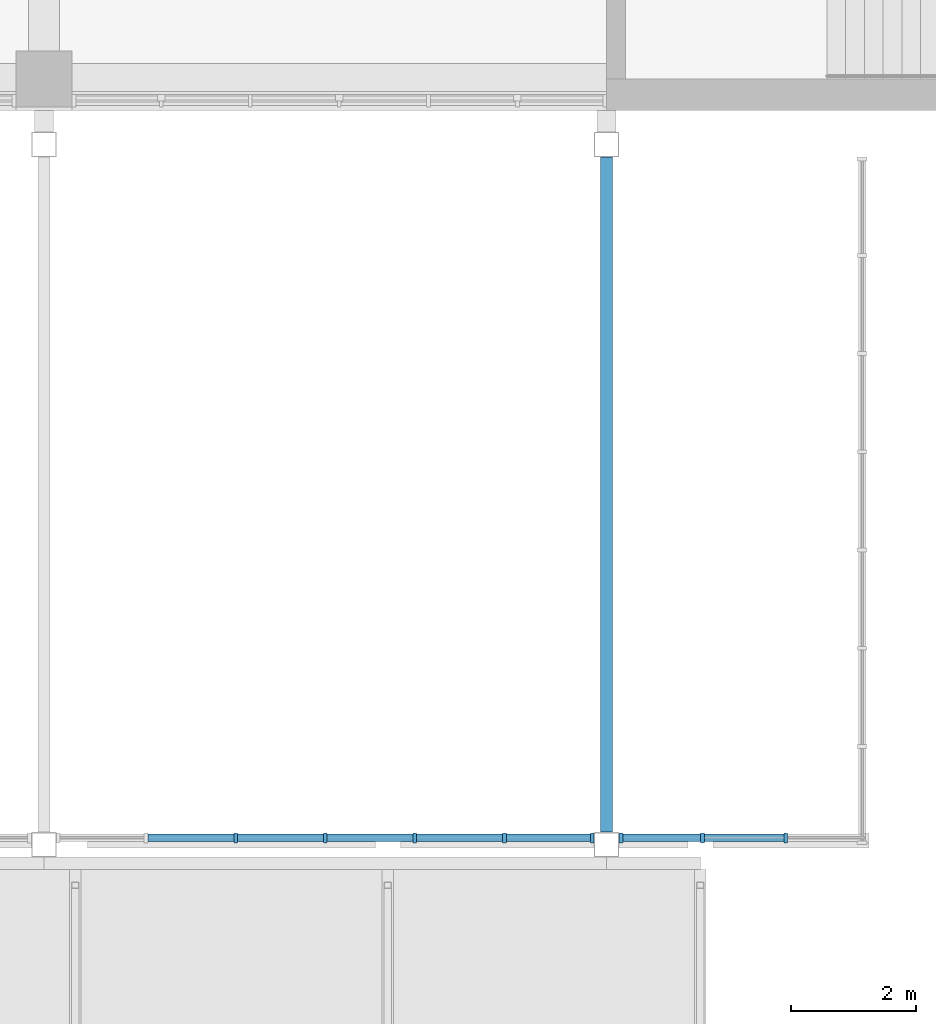
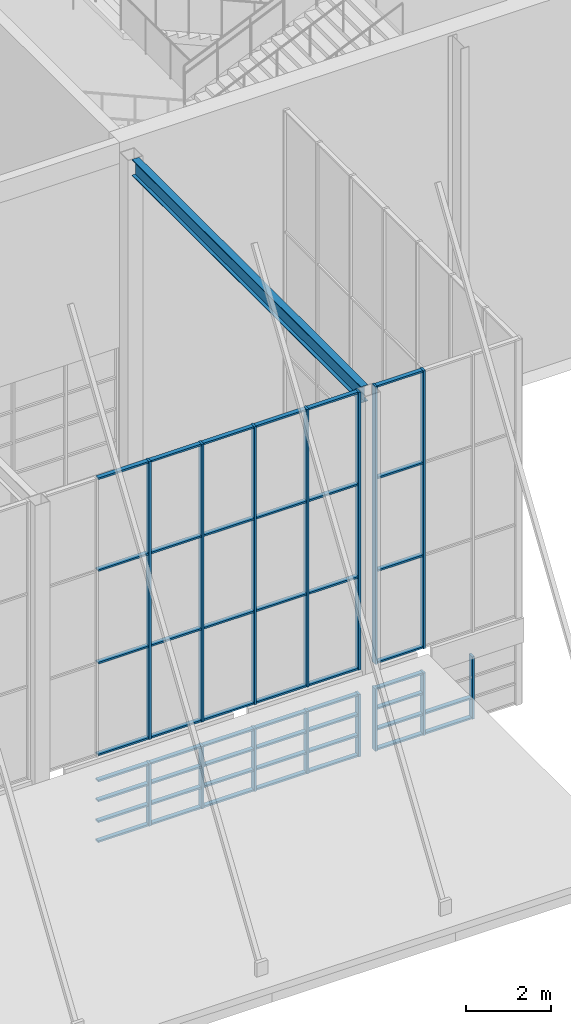
# One storey, part 38 of 182: 65 members, 1 beam, 4 elements without a shape of their own.
"""IFC4 building model written with IfcOpenShell, lengths in metres."""

from ifc_helpers import new_model, si_unit, direction, frame, origin, origin_2d, place, context, subcontext, project, spatial, rectangle, i_section, extrude, material, material_profile, profile_set, type_object, element, aggregate, save


model = new_model("IFC4")

# Units and contexts
model_context = context("Model", 3, precision=1e-05, world=origin(), true_north=direction((0.0, 1.0)))
body_context = subcontext(model_context, "Body", "Model", "MODEL_VIEW")
ifc_project = project(units=[si_unit("LENGTHUNIT", "METRE"), si_unit("AREAUNIT", "SQUARE_METRE"), si_unit("VOLUMEUNIT", "CUBIC_METRE"), si_unit("PLANEANGLEUNIT", "RADIAN"), si_unit("MASSUNIT", "GRAM", prefix="KILO")], contexts=[model_context])

# Site, building, storey
site_placement = place(None, origin())
site = spatial("IfcSite", under=ifc_project, at=site_placement, CompositionType="ELEMENT")
building_placement = place(site_placement, origin())
building = spatial("IfcBuilding", under=site, at=building_placement, Name="Silverbay Arena", CompositionType="ELEMENT")
storey_placement = place(building_placement, frame((0.0, 0.0, 11.5)))
storey = spatial("IfcBuildingStorey", under=building, at=storey_placement, Name="L02", CompositionType="ELEMENT", Elevation=11.5)

# Beam
ifc_material_1 = material(Name="Steel S355", Category="steel")
ifc_material_profile_1 = material_profile(ifc_material_1, i_section(OverallWidth=0.19287109375, OverallDepth=0.46728515625, WebThickness=0.011474609375, FlangeThickness=0.01953125, at=origin_2d()), Name="UB 457x191x98")
ifc_profile_set_1 = profile_set([ifc_material_profile_1], Name="Steel S355")
beam_type = type_object("IfcBeamType", Name="Hall beam UB 457x191x98", PredefinedType="BEAM", material=ifc_profile_set_1)
beam_placement = place(storey_placement, frame((144.0, 16.75, 10.266357421875), z_axis=(0.0, -1.0, 0.0), x_axis=(1.0, 0.0, 0.0)))
element("IfcBeam", 1, at=beam_placement, inside=storey, type_object=beam_type, Name="South entrance hall S1 transverse beam 4L22", PredefinedType="BEAM", context=body_context, shape_type="SweptSolid", body=[
    extrude(i_section(OverallWidth=0.19287109375, OverallDepth=0.46728515625, WebThickness=0.011474609375, FlangeThickness=0.01953125, at=origin_2d()), origin(), (0.0, 0.0, 1.0), 10.800048828125),
])

# Curtain wall, members
ifc_material_2 = material(Name="Aluminium framed curtain wall", Category="aluminium")
curtain_wall_type_1 = type_object("IfcCurtainWallType", Name="Curtain wall 8600 x 1800", PredefinedType="NOTDEFINED", material=ifc_material_2)
curtain_wall_1_placement = place(storey_placement, origin())
curtain_wall_1 = element("IfcCurtainWall", 2, at=curtain_wall_1_placement, inside=storey, type_object=curtain_wall_type_1, Name="South entrance hall S1 glazing F2", PredefinedType="NOTDEFINED")
ifc_material_3 = material(Name="Aluminium", Category="aluminium")
ifc_material_profile_2 = material_profile(ifc_material_3, rectangle(XDim=0.159912109375, YDim=0.06005859375, at=origin_2d()), Name="Mullion 60 x 160")
ifc_profile_set_2 = profile_set([ifc_material_profile_2], Name="Aluminium")
member_type_1 = type_object("IfcMemberType", Name="Mullion 60 x 160", PredefinedType="MULLION", material=ifc_profile_set_2)
member_1_placement = place(storey_placement, frame((138.066650390625, 5.860107421875, 0.0), z_axis=(0.0, 0.0, 1.0), x_axis=(0.0, 1.0, 0.0)))
member_1 = element("IfcMember", 3, at=member_1_placement, type_object=member_type_1, Name="CW25 mullion 3", PredefinedType="MULLION", context=body_context, shape_type="SweptSolid", body=[
    extrude(rectangle(XDim=0.159912109375, YDim=0.06005859375, at=origin_2d()), origin(), (0.0, 0.0, 1.0), 1.800048828125),
])
member_2_placement = place(storey_placement, frame((139.5, 5.860107421875, 0.0), z_axis=(0.0, 0.0, 1.0), x_axis=(0.0, 1.0, 0.0)))
member_2 = element("IfcMember", 4, at=member_2_placement, type_object=member_type_1, Name="CW25 mullion 4", PredefinedType="MULLION", context=body_context, shape_type="SweptSolid", body=[
    extrude(rectangle(XDim=0.159912109375, YDim=0.06005859375, at=origin_2d()), origin(), (0.0, 0.0, 1.0), 1.800048828125),
])
member_3_placement = place(storey_placement, frame((140.933349609375, 5.860107421875, 0.0), z_axis=(0.0, 0.0, 1.0), x_axis=(0.0, 1.0, 0.0)))
member_3 = element("IfcMember", 5, at=member_3_placement, type_object=member_type_1, Name="CW25 mullion 5", PredefinedType="MULLION", context=body_context, shape_type="SweptSolid", body=[
    extrude(rectangle(XDim=0.159912109375, YDim=0.06005859375, at=origin_2d()), origin(), (0.0, 0.0, 1.0), 1.800048828125),
])
member_4_placement = place(storey_placement, frame((142.36669921875, 5.860107421875, 0.0), z_axis=(0.0, 0.0, 1.0), x_axis=(0.0, 1.0, 0.0)))
member_4 = element("IfcMember", 6, at=member_4_placement, type_object=member_type_1, Name="CW25 mullion 6", PredefinedType="MULLION", context=body_context, shape_type="SweptSolid", body=[
    extrude(rectangle(XDim=0.159912109375, YDim=0.06005859375, at=origin_2d()), origin(), (0.0, 0.0, 1.0), 1.800048828125),
])
member_5_placement = place(storey_placement, frame((143.77001953125, 5.860107421875, 0.0), z_axis=(0.0, 0.0, 1.0), x_axis=(0.0, 1.0, 0.0)))
member_5 = element("IfcMember", 7, at=member_5_placement, type_object=member_type_1, Name="CW25 mullion 7", PredefinedType="MULLION", context=body_context, shape_type="SweptSolid", body=[
    extrude(rectangle(XDim=0.159912109375, YDim=0.06005859375, at=origin_2d()), origin(), (0.0, 0.0, 1.0), 1.800048828125),
])

ifc_material_4 = material(Name="Aluminium framed curtain wall", Category="aluminium")
curtain_wall_type_2 = type_object("IfcCurtainWallType", Name="Curtain wall 8600 x 8000", PredefinedType="NOTDEFINED", material=ifc_material_4)
curtain_wall_2_placement = place(storey_placement, origin())
curtain_wall_2 = element("IfcCurtainWall", 8, at=curtain_wall_2_placement, inside=storey, type_object=curtain_wall_type_2, Name="South entrance hall S1 glazing F2", PredefinedType="NOTDEFINED")
member_6_placement = place(storey_placement, frame((138.066650390625, 5.860107421875, 2.5), z_axis=(0.0, 0.0, 1.0), x_axis=(0.0, 1.0, 0.0)))
member_6 = element("IfcMember", 9, at=member_6_placement, type_object=member_type_1, Name="CW26 mullion 3", PredefinedType="MULLION", context=body_context, shape_type="SweptSolid", body=[
    extrude(rectangle(XDim=0.159912109375, YDim=0.06005859375, at=origin_2d()), origin(), (0.0, 0.0, 1.0), 8.0),
])
member_7_placement = place(storey_placement, frame((139.5, 5.860107421875, 2.5), z_axis=(0.0, 0.0, 1.0), x_axis=(0.0, 1.0, 0.0)))
member_7 = element("IfcMember", 10, at=member_7_placement, type_object=member_type_1, Name="CW26 mullion 4", PredefinedType="MULLION", context=body_context, shape_type="SweptSolid", body=[
    extrude(rectangle(XDim=0.159912109375, YDim=0.06005859375, at=origin_2d()), origin(), (0.0, 0.0, 1.0), 8.0),
])
member_8_placement = place(storey_placement, frame((140.933349609375, 5.860107421875, 2.5), z_axis=(0.0, 0.0, 1.0), x_axis=(0.0, 1.0, 0.0)))
member_8 = element("IfcMember", 11, at=member_8_placement, type_object=member_type_1, Name="CW26 mullion 5", PredefinedType="MULLION", context=body_context, shape_type="SweptSolid", body=[
    extrude(rectangle(XDim=0.159912109375, YDim=0.06005859375, at=origin_2d()), origin(), (0.0, 0.0, 1.0), 8.0),
])
member_9_placement = place(storey_placement, frame((142.36669921875, 5.860107421875, 2.5), z_axis=(0.0, 0.0, 1.0), x_axis=(0.0, 1.0, 0.0)))
member_9 = element("IfcMember", 12, at=member_9_placement, type_object=member_type_1, Name="CW26 mullion 6", PredefinedType="MULLION", context=body_context, shape_type="SweptSolid", body=[
    extrude(rectangle(XDim=0.159912109375, YDim=0.06005859375, at=origin_2d()), origin(), (0.0, 0.0, 1.0), 8.0),
])
member_10_placement = place(storey_placement, frame((143.77001953125, 5.860107421875, 2.5), z_axis=(0.0, 0.0, 1.0), x_axis=(0.0, 1.0, 0.0)))
member_10 = element("IfcMember", 13, at=member_10_placement, type_object=member_type_1, Name="CW26 mullion 7", PredefinedType="MULLION", context=body_context, shape_type="SweptSolid", body=[
    extrude(rectangle(XDim=0.159912109375, YDim=0.06005859375, at=origin_2d()), origin(), (0.0, 0.0, 1.0), 8.0),
])

ifc_material_5 = material(Name="Aluminium framed curtain wall", Category="aluminium")
curtain_wall_type_3 = type_object("IfcCurtainWallType", Name="Curtain wall 4000 x 1800", PredefinedType="NOTDEFINED", material=ifc_material_5)
curtain_wall_3_placement = place(storey_placement, origin())
curtain_wall_3 = element("IfcCurtainWall", 14, at=curtain_wall_3_placement, inside=storey, type_object=curtain_wall_type_3, Name="South entrance hall S1 glazing F-b", PredefinedType="NOTDEFINED")
member_11_placement = place(storey_placement, frame((144.22998046875, 5.860107421875, 0.0), z_axis=(0.0, 0.0, 1.0), x_axis=(0.0, 1.0, 0.0)))
member_11 = element("IfcMember", 15, at=member_11_placement, type_object=member_type_1, Name="CW33 mullion 1", PredefinedType="MULLION", context=body_context, shape_type="SweptSolid", body=[
    extrude(rectangle(XDim=0.159912109375, YDim=0.06005859375, at=origin_2d()), origin(), (0.0, 0.0, 1.0), 1.800048828125),
])
member_12_placement = place(storey_placement, frame((145.533447265625, 5.860107421875, 0.0), z_axis=(0.0, 0.0, 1.0), x_axis=(0.0, 1.0, 0.0)))
member_12 = element("IfcMember", 16, at=member_12_placement, type_object=member_type_1, Name="CW33 mullion 2", PredefinedType="MULLION", context=body_context, shape_type="SweptSolid", body=[
    extrude(rectangle(XDim=0.159912109375, YDim=0.06005859375, at=origin_2d()), origin(), (0.0, 0.0, 1.0), 1.800048828125),
])
member_13_placement = place(storey_placement, frame((146.86669921875, 5.860107421875, 0.0), z_axis=(0.0, 0.0, 1.0), x_axis=(0.0, 1.0, 0.0)))
member_13 = element("IfcMember", 17, at=member_13_placement, type_object=member_type_1, Name="CW33 mullion 3", PredefinedType="MULLION", context=body_context, shape_type="SweptSolid", body=[
    extrude(rectangle(XDim=0.159912109375, YDim=0.06005859375, at=origin_2d()), origin(), (0.0, 0.0, 1.0), 1.800048828125),
])

ifc_material_6 = material(Name="Aluminium framed curtain wall", Category="aluminium")
curtain_wall_type_4 = type_object("IfcCurtainWallType", Name="Curtain wall 4000 x 8000", PredefinedType="NOTDEFINED", material=ifc_material_6)
curtain_wall_4_placement = place(storey_placement, origin())
curtain_wall_4 = element("IfcCurtainWall", 18, at=curtain_wall_4_placement, inside=storey, type_object=curtain_wall_type_4, Name="South entrance hall S1 glazing F-b", PredefinedType="NOTDEFINED")
member_14_placement = place(storey_placement, frame((144.22998046875, 5.860107421875, 2.5), z_axis=(0.0, 0.0, 1.0), x_axis=(0.0, 1.0, 0.0)))
member_14 = element("IfcMember", 19, at=member_14_placement, type_object=member_type_1, Name="CW34 mullion 1", PredefinedType="MULLION", context=body_context, shape_type="SweptSolid", body=[
    extrude(rectangle(XDim=0.159912109375, YDim=0.06005859375, at=origin_2d()), origin(), (0.0, 0.0, 1.0), 8.0),
])
member_15_placement = place(storey_placement, frame((145.533447265625, 5.860107421875, 2.5), z_axis=(0.0, 0.0, 1.0), x_axis=(0.0, 1.0, 0.0)))
member_15 = element("IfcMember", 20, at=member_15_placement, type_object=member_type_1, Name="CW34 mullion 2", PredefinedType="MULLION", context=body_context, shape_type="SweptSolid", body=[
    extrude(rectangle(XDim=0.159912109375, YDim=0.06005859375, at=origin_2d()), origin(), (0.0, 0.0, 1.0), 8.0),
])

# Member
ifc_material_7 = material(Name="Aluminium", Category="aluminium")
ifc_material_profile_3 = material_profile(ifc_material_7, rectangle(XDim=0.1201171875, YDim=0.050048828125, at=origin_2d()), Name="Transom 50 x 120")
ifc_profile_set_3 = profile_set([ifc_material_profile_3], Name="Aluminium")
member_type_2 = type_object("IfcMemberType", Name="Transom 50 x 120", PredefinedType="USERDEFINED", material=ifc_profile_set_3)
member_16_placement = place(storey_placement, frame((136.663330078125, 5.860107421875, 0.02490234375), z_axis=(1.0, 0.0, 0.0), x_axis=(0.0, 1.0, 0.0)))
member_16 = element("IfcMember", 21, at=member_16_placement, type_object=member_type_2, Name="CW25 transom 2.1", ObjectType="TRANSOM", PredefinedType="USERDEFINED", context=body_context, shape_type="SweptSolid", body=[
    extrude(rectangle(XDim=0.1201171875, YDim=0.050048828125, at=origin_2d()), origin(), (0.0, 0.0, 1.0), 1.373291015625),
])

member_17_placement = place(storey_placement, frame((136.663330078125, 5.860107421875, 0.60009765625), z_axis=(1.0, 0.0, 0.0), x_axis=(0.0, 1.0, 0.0)))
member_17 = element("IfcMember", 22, at=member_17_placement, type_object=member_type_2, Name="CW25 transom 2.2", ObjectType="TRANSOM", PredefinedType="USERDEFINED", context=body_context, shape_type="SweptSolid", body=[
    extrude(rectangle(XDim=0.1201171875, YDim=0.050048828125, at=origin_2d()), origin(), (0.0, 0.0, 1.0), 1.373291015625),
])

member_18_placement = place(storey_placement, frame((136.663330078125, 5.860107421875, 1.199951171875), z_axis=(1.0, 0.0, 0.0), x_axis=(0.0, 1.0, 0.0)))
member_18 = element("IfcMember", 23, at=member_18_placement, type_object=member_type_2, Name="CW25 transom 2.3", ObjectType="TRANSOM", PredefinedType="USERDEFINED", context=body_context, shape_type="SweptSolid", body=[
    extrude(rectangle(XDim=0.1201171875, YDim=0.050048828125, at=origin_2d()), origin(), (0.0, 0.0, 1.0), 1.373291015625),
])

member_19_placement = place(storey_placement, frame((136.663330078125, 5.860107421875, 1.77490234375), z_axis=(1.0, 0.0, 0.0), x_axis=(0.0, 1.0, 0.0)))
member_19 = element("IfcMember", 24, at=member_19_placement, type_object=member_type_2, Name="CW25 transom 2.4", ObjectType="TRANSOM", PredefinedType="USERDEFINED", context=body_context, shape_type="SweptSolid", body=[
    extrude(rectangle(XDim=0.1201171875, YDim=0.050048828125, at=origin_2d()), origin(), (0.0, 0.0, 1.0), 1.373291015625),
])

member_20_placement = place(storey_placement, frame((138.0966796875, 5.860107421875, 0.02490234375), z_axis=(1.0, 0.0, 0.0), x_axis=(0.0, 1.0, 0.0)))
member_20 = element("IfcMember", 25, at=member_20_placement, type_object=member_type_2, Name="CW25 transom 3.1", ObjectType="TRANSOM", PredefinedType="USERDEFINED", context=body_context, shape_type="SweptSolid", body=[
    extrude(rectangle(XDim=0.1201171875, YDim=0.050048828125, at=origin_2d()), origin(), (0.0, 0.0, 1.0), 1.373291015625),
])

member_21_placement = place(storey_placement, frame((138.0966796875, 5.860107421875, 0.60009765625), z_axis=(1.0, 0.0, 0.0), x_axis=(0.0, 1.0, 0.0)))
member_21 = element("IfcMember", 26, at=member_21_placement, type_object=member_type_2, Name="CW25 transom 3.2", ObjectType="TRANSOM", PredefinedType="USERDEFINED", context=body_context, shape_type="SweptSolid", body=[
    extrude(rectangle(XDim=0.1201171875, YDim=0.050048828125, at=origin_2d()), origin(), (0.0, 0.0, 1.0), 1.373291015625),
])

member_22_placement = place(storey_placement, frame((138.0966796875, 5.860107421875, 1.199951171875), z_axis=(1.0, 0.0, 0.0), x_axis=(0.0, 1.0, 0.0)))
member_22 = element("IfcMember", 27, at=member_22_placement, type_object=member_type_2, Name="CW25 transom 3.3", ObjectType="TRANSOM", PredefinedType="USERDEFINED", context=body_context, shape_type="SweptSolid", body=[
    extrude(rectangle(XDim=0.1201171875, YDim=0.050048828125, at=origin_2d()), origin(), (0.0, 0.0, 1.0), 1.373291015625),
])

member_23_placement = place(storey_placement, frame((138.0966796875, 5.860107421875, 1.77490234375), z_axis=(1.0, 0.0, 0.0), x_axis=(0.0, 1.0, 0.0)))
member_23 = element("IfcMember", 28, at=member_23_placement, type_object=member_type_2, Name="CW25 transom 3.4", ObjectType="TRANSOM", PredefinedType="USERDEFINED", context=body_context, shape_type="SweptSolid", body=[
    extrude(rectangle(XDim=0.1201171875, YDim=0.050048828125, at=origin_2d()), origin(), (0.0, 0.0, 1.0), 1.373291015625),
])

member_24_placement = place(storey_placement, frame((139.530029296875, 5.860107421875, 0.02490234375), z_axis=(1.0, 0.0, 0.0), x_axis=(0.0, 1.0, 0.0)))
member_24 = element("IfcMember", 29, at=member_24_placement, type_object=member_type_2, Name="CW25 transom 4.1", ObjectType="TRANSOM", PredefinedType="USERDEFINED", context=body_context, shape_type="SweptSolid", body=[
    extrude(rectangle(XDim=0.1201171875, YDim=0.050048828125, at=origin_2d()), origin(), (0.0, 0.0, 1.0), 1.373291015625),
])

member_25_placement = place(storey_placement, frame((139.530029296875, 5.860107421875, 0.60009765625), z_axis=(1.0, 0.0, 0.0), x_axis=(0.0, 1.0, 0.0)))
member_25 = element("IfcMember", 30, at=member_25_placement, type_object=member_type_2, Name="CW25 transom 4.2", ObjectType="TRANSOM", PredefinedType="USERDEFINED", context=body_context, shape_type="SweptSolid", body=[
    extrude(rectangle(XDim=0.1201171875, YDim=0.050048828125, at=origin_2d()), origin(), (0.0, 0.0, 1.0), 1.373291015625),
])

member_26_placement = place(storey_placement, frame((139.530029296875, 5.860107421875, 1.199951171875), z_axis=(1.0, 0.0, 0.0), x_axis=(0.0, 1.0, 0.0)))
member_26 = element("IfcMember", 31, at=member_26_placement, type_object=member_type_2, Name="CW25 transom 4.3", ObjectType="TRANSOM", PredefinedType="USERDEFINED", context=body_context, shape_type="SweptSolid", body=[
    extrude(rectangle(XDim=0.1201171875, YDim=0.050048828125, at=origin_2d()), origin(), (0.0, 0.0, 1.0), 1.373291015625),
])

member_27_placement = place(storey_placement, frame((139.530029296875, 5.860107421875, 1.77490234375), z_axis=(1.0, 0.0, 0.0), x_axis=(0.0, 1.0, 0.0)))
member_27 = element("IfcMember", 32, at=member_27_placement, type_object=member_type_2, Name="CW25 transom 4.4", ObjectType="TRANSOM", PredefinedType="USERDEFINED", context=body_context, shape_type="SweptSolid", body=[
    extrude(rectangle(XDim=0.1201171875, YDim=0.050048828125, at=origin_2d()), origin(), (0.0, 0.0, 1.0), 1.373291015625),
])

member_28_placement = place(storey_placement, frame((140.96337890625, 5.860107421875, 0.02490234375), z_axis=(1.0, 0.0, 0.0), x_axis=(0.0, 1.0, 0.0)))
member_28 = element("IfcMember", 33, at=member_28_placement, type_object=member_type_2, Name="CW25 transom 5.1", ObjectType="TRANSOM", PredefinedType="USERDEFINED", context=body_context, shape_type="SweptSolid", body=[
    extrude(rectangle(XDim=0.1201171875, YDim=0.050048828125, at=origin_2d()), origin(), (0.0, 0.0, 1.0), 1.373291015625),
])

member_29_placement = place(storey_placement, frame((140.96337890625, 5.860107421875, 0.60009765625), z_axis=(1.0, 0.0, 0.0), x_axis=(0.0, 1.0, 0.0)))
member_29 = element("IfcMember", 34, at=member_29_placement, type_object=member_type_2, Name="CW25 transom 5.2", ObjectType="TRANSOM", PredefinedType="USERDEFINED", context=body_context, shape_type="SweptSolid", body=[
    extrude(rectangle(XDim=0.1201171875, YDim=0.050048828125, at=origin_2d()), origin(), (0.0, 0.0, 1.0), 1.373291015625),
])

member_30_placement = place(storey_placement, frame((140.96337890625, 5.860107421875, 1.199951171875), z_axis=(1.0, 0.0, 0.0), x_axis=(0.0, 1.0, 0.0)))
member_30 = element("IfcMember", 35, at=member_30_placement, type_object=member_type_2, Name="CW25 transom 5.3", ObjectType="TRANSOM", PredefinedType="USERDEFINED", context=body_context, shape_type="SweptSolid", body=[
    extrude(rectangle(XDim=0.1201171875, YDim=0.050048828125, at=origin_2d()), origin(), (0.0, 0.0, 1.0), 1.373291015625),
])

member_31_placement = place(storey_placement, frame((140.96337890625, 5.860107421875, 1.77490234375), z_axis=(1.0, 0.0, 0.0), x_axis=(0.0, 1.0, 0.0)))
member_31 = element("IfcMember", 36, at=member_31_placement, type_object=member_type_2, Name="CW25 transom 5.4", ObjectType="TRANSOM", PredefinedType="USERDEFINED", context=body_context, shape_type="SweptSolid", body=[
    extrude(rectangle(XDim=0.1201171875, YDim=0.050048828125, at=origin_2d()), origin(), (0.0, 0.0, 1.0), 1.373291015625),
])

member_32_placement = place(storey_placement, frame((142.396728515625, 5.860107421875, 0.02490234375), z_axis=(1.0, 0.0, 0.0), x_axis=(0.0, 1.0, 0.0)))
member_32 = element("IfcMember", 37, at=member_32_placement, type_object=member_type_2, Name="CW25 transom 6.1", ObjectType="TRANSOM", PredefinedType="USERDEFINED", context=body_context, shape_type="SweptSolid", body=[
    extrude(rectangle(XDim=0.1201171875, YDim=0.050048828125, at=origin_2d()), origin(), (0.0, 0.0, 1.0), 1.34326171875),
])

member_33_placement = place(storey_placement, frame((142.396728515625, 5.860107421875, 0.60009765625), z_axis=(1.0, 0.0, 0.0), x_axis=(0.0, 1.0, 0.0)))
member_33 = element("IfcMember", 38, at=member_33_placement, type_object=member_type_2, Name="CW25 transom 6.2", ObjectType="TRANSOM", PredefinedType="USERDEFINED", context=body_context, shape_type="SweptSolid", body=[
    extrude(rectangle(XDim=0.1201171875, YDim=0.050048828125, at=origin_2d()), origin(), (0.0, 0.0, 1.0), 1.34326171875),
])

member_34_placement = place(storey_placement, frame((142.396728515625, 5.860107421875, 1.199951171875), z_axis=(1.0, 0.0, 0.0), x_axis=(0.0, 1.0, 0.0)))
member_34 = element("IfcMember", 39, at=member_34_placement, type_object=member_type_2, Name="CW25 transom 6.3", ObjectType="TRANSOM", PredefinedType="USERDEFINED", context=body_context, shape_type="SweptSolid", body=[
    extrude(rectangle(XDim=0.1201171875, YDim=0.050048828125, at=origin_2d()), origin(), (0.0, 0.0, 1.0), 1.34326171875),
])

member_35_placement = place(storey_placement, frame((142.396728515625, 5.860107421875, 1.77490234375), z_axis=(1.0, 0.0, 0.0), x_axis=(0.0, 1.0, 0.0)))
member_35 = element("IfcMember", 40, at=member_35_placement, type_object=member_type_2, Name="CW25 transom 6.4", ObjectType="TRANSOM", PredefinedType="USERDEFINED", context=body_context, shape_type="SweptSolid", body=[
    extrude(rectangle(XDim=0.1201171875, YDim=0.050048828125, at=origin_2d()), origin(), (0.0, 0.0, 1.0), 1.34326171875),
])

aggregate(curtain_wall_1, [member_1, member_2, member_3, member_4, member_5, member_16, member_17, member_18, member_19, member_20, member_21, member_22, member_23, member_24, member_25, member_26, member_27, member_28, member_29, member_30, member_31, member_32, member_33, member_34, member_35])

member_36_placement = place(storey_placement, frame((136.663330078125, 5.860107421875, 2.52490234375), z_axis=(1.0, 0.0, 0.0), x_axis=(0.0, 1.0, 0.0)))
member_36 = element("IfcMember", 41, at=member_36_placement, type_object=member_type_2, Name="CW26 transom 2.1", ObjectType="TRANSOM", PredefinedType="USERDEFINED", context=body_context, shape_type="SweptSolid", body=[
    extrude(rectangle(XDim=0.1201171875, YDim=0.050048828125, at=origin_2d()), origin(), (0.0, 0.0, 1.0), 1.373291015625),
])

member_37_placement = place(storey_placement, frame((136.663330078125, 5.860107421875, 5.166748046875), z_axis=(1.0, 0.0, 0.0), x_axis=(0.0, 1.0, 0.0)))
member_37 = element("IfcMember", 42, at=member_37_placement, type_object=member_type_2, Name="CW26 transom 2.2", ObjectType="TRANSOM", PredefinedType="USERDEFINED", context=body_context, shape_type="SweptSolid", body=[
    extrude(rectangle(XDim=0.1201171875, YDim=0.050048828125, at=origin_2d()), origin(), (0.0, 0.0, 1.0), 1.373291015625),
])

member_38_placement = place(storey_placement, frame((136.663330078125, 5.860107421875, 7.833251953125), z_axis=(1.0, 0.0, 0.0), x_axis=(0.0, 1.0, 0.0)))
member_38 = element("IfcMember", 43, at=member_38_placement, type_object=member_type_2, Name="CW26 transom 2.3", ObjectType="TRANSOM", PredefinedType="USERDEFINED", context=body_context, shape_type="SweptSolid", body=[
    extrude(rectangle(XDim=0.1201171875, YDim=0.050048828125, at=origin_2d()), origin(), (0.0, 0.0, 1.0), 1.373291015625),
])

member_39_placement = place(storey_placement, frame((136.663330078125, 5.860107421875, 10.47509765625), z_axis=(1.0, 0.0, 0.0), x_axis=(0.0, 1.0, 0.0)))
member_39 = element("IfcMember", 44, at=member_39_placement, type_object=member_type_2, Name="CW26 transom 2.4", ObjectType="TRANSOM", PredefinedType="USERDEFINED", context=body_context, shape_type="SweptSolid", body=[
    extrude(rectangle(XDim=0.1201171875, YDim=0.050048828125, at=origin_2d()), origin(), (0.0, 0.0, 1.0), 1.373291015625),
])

member_40_placement = place(storey_placement, frame((138.0966796875, 5.860107421875, 2.52490234375), z_axis=(1.0, 0.0, 0.0), x_axis=(0.0, 1.0, 0.0)))
member_40 = element("IfcMember", 45, at=member_40_placement, type_object=member_type_2, Name="CW26 transom 3.1", ObjectType="TRANSOM", PredefinedType="USERDEFINED", context=body_context, shape_type="SweptSolid", body=[
    extrude(rectangle(XDim=0.1201171875, YDim=0.050048828125, at=origin_2d()), origin(), (0.0, 0.0, 1.0), 1.373291015625),
])

member_41_placement = place(storey_placement, frame((138.0966796875, 5.860107421875, 5.166748046875), z_axis=(1.0, 0.0, 0.0), x_axis=(0.0, 1.0, 0.0)))
member_41 = element("IfcMember", 46, at=member_41_placement, type_object=member_type_2, Name="CW26 transom 3.2", ObjectType="TRANSOM", PredefinedType="USERDEFINED", context=body_context, shape_type="SweptSolid", body=[
    extrude(rectangle(XDim=0.1201171875, YDim=0.050048828125, at=origin_2d()), origin(), (0.0, 0.0, 1.0), 1.373291015625),
])

member_42_placement = place(storey_placement, frame((138.0966796875, 5.860107421875, 7.833251953125), z_axis=(1.0, 0.0, 0.0), x_axis=(0.0, 1.0, 0.0)))
member_42 = element("IfcMember", 47, at=member_42_placement, type_object=member_type_2, Name="CW26 transom 3.3", ObjectType="TRANSOM", PredefinedType="USERDEFINED", context=body_context, shape_type="SweptSolid", body=[
    extrude(rectangle(XDim=0.1201171875, YDim=0.050048828125, at=origin_2d()), origin(), (0.0, 0.0, 1.0), 1.373291015625),
])

member_43_placement = place(storey_placement, frame((138.0966796875, 5.860107421875, 10.47509765625), z_axis=(1.0, 0.0, 0.0), x_axis=(0.0, 1.0, 0.0)))
member_43 = element("IfcMember", 48, at=member_43_placement, type_object=member_type_2, Name="CW26 transom 3.4", ObjectType="TRANSOM", PredefinedType="USERDEFINED", context=body_context, shape_type="SweptSolid", body=[
    extrude(rectangle(XDim=0.1201171875, YDim=0.050048828125, at=origin_2d()), origin(), (0.0, 0.0, 1.0), 1.373291015625),
])

member_44_placement = place(storey_placement, frame((139.530029296875, 5.860107421875, 2.52490234375), z_axis=(1.0, 0.0, 0.0), x_axis=(0.0, 1.0, 0.0)))
member_44 = element("IfcMember", 49, at=member_44_placement, type_object=member_type_2, Name="CW26 transom 4.1", ObjectType="TRANSOM", PredefinedType="USERDEFINED", context=body_context, shape_type="SweptSolid", body=[
    extrude(rectangle(XDim=0.1201171875, YDim=0.050048828125, at=origin_2d()), origin(), (0.0, 0.0, 1.0), 1.373291015625),
])

member_45_placement = place(storey_placement, frame((139.530029296875, 5.860107421875, 5.166748046875), z_axis=(1.0, 0.0, 0.0), x_axis=(0.0, 1.0, 0.0)))
member_45 = element("IfcMember", 50, at=member_45_placement, type_object=member_type_2, Name="CW26 transom 4.2", ObjectType="TRANSOM", PredefinedType="USERDEFINED", context=body_context, shape_type="SweptSolid", body=[
    extrude(rectangle(XDim=0.1201171875, YDim=0.050048828125, at=origin_2d()), origin(), (0.0, 0.0, 1.0), 1.373291015625),
])

member_46_placement = place(storey_placement, frame((139.530029296875, 5.860107421875, 7.833251953125), z_axis=(1.0, 0.0, 0.0), x_axis=(0.0, 1.0, 0.0)))
member_46 = element("IfcMember", 51, at=member_46_placement, type_object=member_type_2, Name="CW26 transom 4.3", ObjectType="TRANSOM", PredefinedType="USERDEFINED", context=body_context, shape_type="SweptSolid", body=[
    extrude(rectangle(XDim=0.1201171875, YDim=0.050048828125, at=origin_2d()), origin(), (0.0, 0.0, 1.0), 1.373291015625),
])

member_47_placement = place(storey_placement, frame((139.530029296875, 5.860107421875, 10.47509765625), z_axis=(1.0, 0.0, 0.0), x_axis=(0.0, 1.0, 0.0)))
member_47 = element("IfcMember", 52, at=member_47_placement, type_object=member_type_2, Name="CW26 transom 4.4", ObjectType="TRANSOM", PredefinedType="USERDEFINED", context=body_context, shape_type="SweptSolid", body=[
    extrude(rectangle(XDim=0.1201171875, YDim=0.050048828125, at=origin_2d()), origin(), (0.0, 0.0, 1.0), 1.373291015625),
])

member_48_placement = place(storey_placement, frame((140.96337890625, 5.860107421875, 2.52490234375), z_axis=(1.0, 0.0, 0.0), x_axis=(0.0, 1.0, 0.0)))
member_48 = element("IfcMember", 53, at=member_48_placement, type_object=member_type_2, Name="CW26 transom 5.1", ObjectType="TRANSOM", PredefinedType="USERDEFINED", context=body_context, shape_type="SweptSolid", body=[
    extrude(rectangle(XDim=0.1201171875, YDim=0.050048828125, at=origin_2d()), origin(), (0.0, 0.0, 1.0), 1.373291015625),
])

member_49_placement = place(storey_placement, frame((140.96337890625, 5.860107421875, 5.166748046875), z_axis=(1.0, 0.0, 0.0), x_axis=(0.0, 1.0, 0.0)))
member_49 = element("IfcMember", 54, at=member_49_placement, type_object=member_type_2, Name="CW26 transom 5.2", ObjectType="TRANSOM", PredefinedType="USERDEFINED", context=body_context, shape_type="SweptSolid", body=[
    extrude(rectangle(XDim=0.1201171875, YDim=0.050048828125, at=origin_2d()), origin(), (0.0, 0.0, 1.0), 1.373291015625),
])

member_50_placement = place(storey_placement, frame((140.96337890625, 5.860107421875, 7.833251953125), z_axis=(1.0, 0.0, 0.0), x_axis=(0.0, 1.0, 0.0)))
member_50 = element("IfcMember", 55, at=member_50_placement, type_object=member_type_2, Name="CW26 transom 5.3", ObjectType="TRANSOM", PredefinedType="USERDEFINED", context=body_context, shape_type="SweptSolid", body=[
    extrude(rectangle(XDim=0.1201171875, YDim=0.050048828125, at=origin_2d()), origin(), (0.0, 0.0, 1.0), 1.373291015625),
])

member_51_placement = place(storey_placement, frame((140.96337890625, 5.860107421875, 10.47509765625), z_axis=(1.0, 0.0, 0.0), x_axis=(0.0, 1.0, 0.0)))
member_51 = element("IfcMember", 56, at=member_51_placement, type_object=member_type_2, Name="CW26 transom 5.4", ObjectType="TRANSOM", PredefinedType="USERDEFINED", context=body_context, shape_type="SweptSolid", body=[
    extrude(rectangle(XDim=0.1201171875, YDim=0.050048828125, at=origin_2d()), origin(), (0.0, 0.0, 1.0), 1.373291015625),
])

member_52_placement = place(storey_placement, frame((142.396728515625, 5.860107421875, 2.52490234375), z_axis=(1.0, 0.0, 0.0), x_axis=(0.0, 1.0, 0.0)))
member_52 = element("IfcMember", 57, at=member_52_placement, type_object=member_type_2, Name="CW26 transom 6.1", ObjectType="TRANSOM", PredefinedType="USERDEFINED", context=body_context, shape_type="SweptSolid", body=[
    extrude(rectangle(XDim=0.1201171875, YDim=0.050048828125, at=origin_2d()), origin(), (0.0, 0.0, 1.0), 1.34326171875),
])

member_53_placement = place(storey_placement, frame((142.396728515625, 5.860107421875, 5.166748046875), z_axis=(1.0, 0.0, 0.0), x_axis=(0.0, 1.0, 0.0)))
member_53 = element("IfcMember", 58, at=member_53_placement, type_object=member_type_2, Name="CW26 transom 6.2", ObjectType="TRANSOM", PredefinedType="USERDEFINED", context=body_context, shape_type="SweptSolid", body=[
    extrude(rectangle(XDim=0.1201171875, YDim=0.050048828125, at=origin_2d()), origin(), (0.0, 0.0, 1.0), 1.34326171875),
])

member_54_placement = place(storey_placement, frame((142.396728515625, 5.860107421875, 7.833251953125), z_axis=(1.0, 0.0, 0.0), x_axis=(0.0, 1.0, 0.0)))
member_54 = element("IfcMember", 59, at=member_54_placement, type_object=member_type_2, Name="CW26 transom 6.3", ObjectType="TRANSOM", PredefinedType="USERDEFINED", context=body_context, shape_type="SweptSolid", body=[
    extrude(rectangle(XDim=0.1201171875, YDim=0.050048828125, at=origin_2d()), origin(), (0.0, 0.0, 1.0), 1.34326171875),
])

member_55_placement = place(storey_placement, frame((142.396728515625, 5.860107421875, 10.47509765625), z_axis=(1.0, 0.0, 0.0), x_axis=(0.0, 1.0, 0.0)))
member_55 = element("IfcMember", 60, at=member_55_placement, type_object=member_type_2, Name="CW26 transom 6.4", ObjectType="TRANSOM", PredefinedType="USERDEFINED", context=body_context, shape_type="SweptSolid", body=[
    extrude(rectangle(XDim=0.1201171875, YDim=0.050048828125, at=origin_2d()), origin(), (0.0, 0.0, 1.0), 1.34326171875),
])

aggregate(curtain_wall_2, [member_6, member_7, member_8, member_9, member_10, member_36, member_37, member_38, member_39, member_40, member_41, member_42, member_43, member_44, member_45, member_46, member_47, member_48, member_49, member_50, member_51, member_52, member_53, member_54, member_55])

member_56_placement = place(storey_placement, frame((144.260009765625, 5.860107421875, 0.02490234375), z_axis=(1.0, 0.0, 0.0), x_axis=(0.0, 1.0, 0.0)))
member_56 = element("IfcMember", 61, at=member_56_placement, type_object=member_type_2, Name="CW33 transom 1.1", ObjectType="TRANSOM", PredefinedType="USERDEFINED", context=body_context, shape_type="SweptSolid", body=[
    extrude(rectangle(XDim=0.1201171875, YDim=0.050048828125, at=origin_2d()), origin(), (0.0, 0.0, 1.0), 1.243408203125),
])

member_57_placement = place(storey_placement, frame((144.260009765625, 5.860107421875, 0.60009765625), z_axis=(1.0, 0.0, 0.0), x_axis=(0.0, 1.0, 0.0)))
member_57 = element("IfcMember", 62, at=member_57_placement, type_object=member_type_2, Name="CW33 transom 1.2", ObjectType="TRANSOM", PredefinedType="USERDEFINED", context=body_context, shape_type="SweptSolid", body=[
    extrude(rectangle(XDim=0.1201171875, YDim=0.050048828125, at=origin_2d()), origin(), (0.0, 0.0, 1.0), 1.243408203125),
])

member_58_placement = place(storey_placement, frame((144.260009765625, 5.860107421875, 1.199951171875), z_axis=(1.0, 0.0, 0.0), x_axis=(0.0, 1.0, 0.0)))
member_58 = element("IfcMember", 63, at=member_58_placement, type_object=member_type_2, Name="CW33 transom 1.3", ObjectType="TRANSOM", PredefinedType="USERDEFINED", context=body_context, shape_type="SweptSolid", body=[
    extrude(rectangle(XDim=0.1201171875, YDim=0.050048828125, at=origin_2d()), origin(), (0.0, 0.0, 1.0), 1.243408203125),
])

member_59_placement = place(storey_placement, frame((144.260009765625, 5.860107421875, 1.77490234375), z_axis=(1.0, 0.0, 0.0), x_axis=(0.0, 1.0, 0.0)))
member_59 = element("IfcMember", 64, at=member_59_placement, type_object=member_type_2, Name="CW33 transom 1.4", ObjectType="TRANSOM", PredefinedType="USERDEFINED", context=body_context, shape_type="SweptSolid", body=[
    extrude(rectangle(XDim=0.1201171875, YDim=0.050048828125, at=origin_2d()), origin(), (0.0, 0.0, 1.0), 1.243408203125),
])

member_60_placement = place(storey_placement, frame((145.563232421875, 5.860107421875, 0.02490234375), z_axis=(1.0, 0.0, 0.0), x_axis=(0.0, 1.0, 0.0)))
member_60 = element("IfcMember", 65, at=member_60_placement, type_object=member_type_2, Name="CW33 transom 2.1", ObjectType="TRANSOM", PredefinedType="USERDEFINED", context=body_context, shape_type="SweptSolid", body=[
    extrude(rectangle(XDim=0.1201171875, YDim=0.050048828125, at=origin_2d()), origin(), (0.0, 0.0, 1.0), 1.2734375),
])

member_61_placement = place(storey_placement, frame((145.563232421875, 5.860107421875, 0.60009765625), z_axis=(1.0, 0.0, 0.0), x_axis=(0.0, 1.0, 0.0)))
member_61 = element("IfcMember", 66, at=member_61_placement, type_object=member_type_2, Name="CW33 transom 2.2", ObjectType="TRANSOM", PredefinedType="USERDEFINED", context=body_context, shape_type="SweptSolid", body=[
    extrude(rectangle(XDim=0.1201171875, YDim=0.050048828125, at=origin_2d()), origin(), (0.0, 0.0, 1.0), 1.2734375),
])

aggregate(curtain_wall_3, [member_11, member_12, member_13, member_56, member_57, member_58, member_59, member_60, member_61])

member_62_placement = place(storey_placement, frame((144.260009765625, 5.860107421875, 2.52490234375), z_axis=(1.0, 0.0, 0.0), x_axis=(0.0, 1.0, 0.0)))
member_62 = element("IfcMember", 67, at=member_62_placement, type_object=member_type_2, Name="CW34 transom 1.1", ObjectType="TRANSOM", PredefinedType="USERDEFINED", context=body_context, shape_type="SweptSolid", body=[
    extrude(rectangle(XDim=0.1201171875, YDim=0.050048828125, at=origin_2d()), origin(), (0.0, 0.0, 1.0), 1.243408203125),
])

member_63_placement = place(storey_placement, frame((144.260009765625, 5.860107421875, 5.166748046875), z_axis=(1.0, 0.0, 0.0), x_axis=(0.0, 1.0, 0.0)))
member_63 = element("IfcMember", 68, at=member_63_placement, type_object=member_type_2, Name="CW34 transom 1.2", ObjectType="TRANSOM", PredefinedType="USERDEFINED", context=body_context, shape_type="SweptSolid", body=[
    extrude(rectangle(XDim=0.1201171875, YDim=0.050048828125, at=origin_2d()), origin(), (0.0, 0.0, 1.0), 1.243408203125),
])

member_64_placement = place(storey_placement, frame((144.260009765625, 5.860107421875, 7.833251953125), z_axis=(1.0, 0.0, 0.0), x_axis=(0.0, 1.0, 0.0)))
member_64 = element("IfcMember", 69, at=member_64_placement, type_object=member_type_2, Name="CW34 transom 1.3", ObjectType="TRANSOM", PredefinedType="USERDEFINED", context=body_context, shape_type="SweptSolid", body=[
    extrude(rectangle(XDim=0.1201171875, YDim=0.050048828125, at=origin_2d()), origin(), (0.0, 0.0, 1.0), 1.243408203125),
])

member_65_placement = place(storey_placement, frame((144.260009765625, 5.860107421875, 10.47509765625), z_axis=(1.0, 0.0, 0.0), x_axis=(0.0, 1.0, 0.0)))
member_65 = element("IfcMember", 70, at=member_65_placement, type_object=member_type_2, Name="CW34 transom 1.4", ObjectType="TRANSOM", PredefinedType="USERDEFINED", context=body_context, shape_type="SweptSolid", body=[
    extrude(rectangle(XDim=0.1201171875, YDim=0.050048828125, at=origin_2d()), origin(), (0.0, 0.0, 1.0), 1.243408203125),
])

aggregate(curtain_wall_4, [member_14, member_15, member_62, member_63, member_64, member_65])

save(model, "model.ifc")
